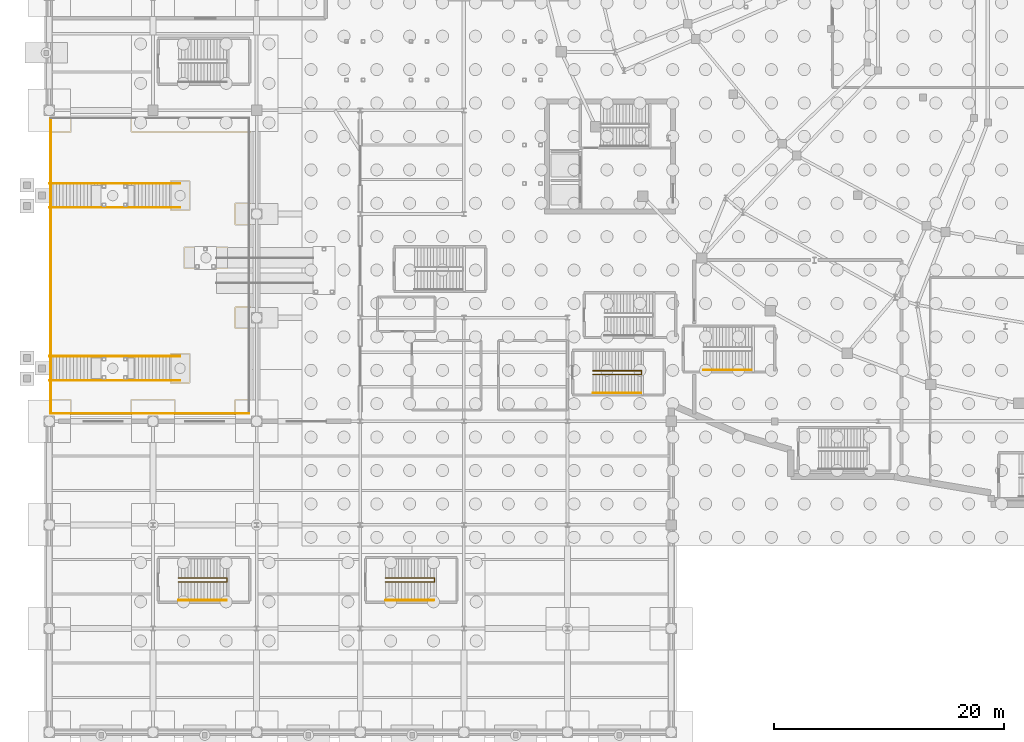
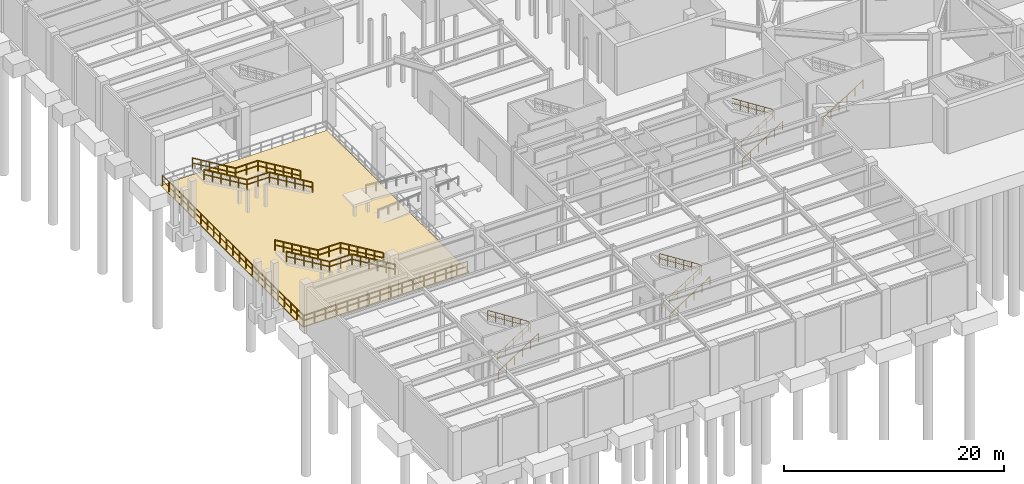
# One storey, part 52 of 56: 13 railings, 1 covering.
"""IFC4 building model written with IfcOpenShell, lengths in metres."""

from ifc_helpers import new_model, si_unit, direction, frame, origin, origin_2d, place, context, subcontext, project, spatial, polyline, circle, outline, extrude, material, layer, layer_set, type_object, element, save


model = new_model("IFC4")

# Units and contexts
model_context = context("Model", 3, precision=1e-05, world=origin(), true_north=direction((0.0, 1.0)))
body_context = subcontext(model_context, "Body", "Model", "MODEL_VIEW")
ifc_project = project(units=[si_unit("LENGTHUNIT", "METRE"), si_unit("AREAUNIT", "SQUARE_METRE"), si_unit("VOLUMEUNIT", "CUBIC_METRE"), si_unit("PLANEANGLEUNIT", "RADIAN"), si_unit("MASSUNIT", "GRAM", prefix="KILO")], contexts=[model_context])

# Site, building, storey
site_placement = place(None, origin())
site = spatial("IfcSite", under=ifc_project, at=site_placement, CompositionType="ELEMENT")
building_placement = place(site_placement, origin())
building = spatial("IfcBuilding", under=site, at=building_placement, Name="Glasvene Arena", CompositionType="ELEMENT")
storey_placement = place(building_placement, frame((0.0, 0.0, -5.39990234375)))
storey = spatial("IfcBuildingStorey", under=building, at=storey_placement, Name="B1", CompositionType="ELEMENT", Elevation=-5.39990234375)

# Covering
ifc_material_1 = material(Name="Irish silver-grey granite paving", Category="masonry")
ifc_layer = layer(ifc_material_1, 0.06005859375)
ifc_layer_set = layer_set([ifc_layer], Name="Irish silver-grey granite paving")
covering_type = type_object("IfcCoveringType", Name="COV-PLAZA-GRAN", PredefinedType="FLOORING", material=ifc_layer_set)
covering_placement = place(storey_placement, frame((8.72509765625, 40.5, -0.10009765625)))
element("IfcCovering", 1, at=covering_placement, inside=storey, type_object=covering_type, Name="Sunken metro forecourt granite paving TR-B1-METRO-01", PredefinedType="FLOORING", context=body_context, shape_type="SweptSolid", body=[
    extrude(outline(polyline([(-8.72509765625, 12.949951171875), (8.724853515625, 12.949951171875), (8.724853515625, -12.949951171875), (-8.72509765625, -12.949951171875), (-8.72509765625, 12.949951171875)])), origin(), (0.0, 0.0, 1.0), 0.10009765625),
])

# Railings
ifc_material_2 = material(Name="Brushed stainless steel", Category="steel")
railing_type_1 = type_object("IfcRailingType", Name="RL-GUARD-1100", PredefinedType="GUARDRAIL", material=ifc_material_2)
railing_1_placement = place(storey_placement, frame((47.199951171875, 31.06005859375, 0.0)))
element("IfcRailing", 2, at=railing_1_placement, inside=storey, type_object=railing_type_1, Name="Stair inner well continuous guardrail ST-16-B1", PredefinedType="GUARDRAIL", context=body_context, shape_type="SweptSolid", body=[
    extrude(circle(Radius=0.02392578125, at=origin_2d()), frame((0.0, 0.0, 1.076171875), z_axis=(0.843501457581, 0.0, 0.537126885437), x_axis=(0.0, 1.0, 0.0)), (0.0, 0.0, 1.0), 5.026611328125),
    extrude(circle(Radius=0.01611328125, at=origin_2d()), frame((0.0, 0.0, 0.550048828125), z_axis=(0.843501457581, 0.0, 0.537126885437), x_axis=(0.0, 1.0, 0.0)), (0.0, 0.0, 1.0), 5.026611328125),
    extrude(circle(Radius=0.02392578125, at=origin_2d()), frame((4.239990234375, 0.0, 3.77587890625), z_axis=(0.0, 1.0, 0.0), x_axis=(-1.0, 0.0, 0.0)), (0.0, 0.0, 1.0), 0.329833984375),
    extrude(circle(Radius=0.01611328125, at=origin_2d()), frame((4.239990234375, 0.0, 3.25), z_axis=(0.0, 1.0, 0.0), x_axis=(-1.0, 0.0, 0.0)), (0.0, 0.0, 1.0), 0.329833984375),
    extrude(circle(Radius=0.02392578125, at=origin_2d()), frame((4.239990234375, 0.329833984375, 3.77587890625), z_axis=(-0.843501457581, 0.0, 0.537126885437), x_axis=(0.0, -1.0, 0.0)), (0.0, 0.0, 1.0), 5.026611328125),
    extrude(circle(Radius=0.01611328125, at=origin_2d()), frame((4.239990234375, 0.329833984375, 3.25), z_axis=(-0.843501457581, 0.0, 0.537126885437), x_axis=(0.0, -1.0, 0.0)), (0.0, 0.0, 1.0), 5.026611328125),
    extrude(circle(Radius=0.02099609375, at=origin_2d()), origin(), (0.0, 0.0, 1.0), 1.052001953125),
    extrude(circle(Radius=0.02099609375, at=origin_2d()), frame((0.847900390625, 0.0, 0.5400390625)), (0.0, 0.0, 1.0), 1.052001953125),
    extrude(circle(Radius=0.02099609375, at=origin_2d()), frame((1.696044921875, 0.0, 1.080078125)), (0.0, 0.0, 1.0), 1.052001953125),
    extrude(circle(Radius=0.02099609375, at=origin_2d()), frame((2.5439453125, 0.0, 1.619873046875)), (0.0, 0.0, 1.0), 1.052001953125),
    extrude(circle(Radius=0.02099609375, at=origin_2d()), frame((3.39208984375, 0.0, 2.159912109375)), (0.0, 0.0, 1.0), 1.052001953125),
    extrude(circle(Radius=0.02099609375, at=origin_2d()), frame((4.239990234375, 0.0, 2.699951171875)), (0.0, 0.0, 1.0), 1.052001953125),
    extrude(circle(Radius=0.02099609375, at=origin_2d()), frame((4.239990234375, 0.329833984375, 2.699951171875)), (0.0, 0.0, 1.0), 1.052001953125),
    extrude(circle(Radius=0.02099609375, at=origin_2d()), frame((3.39208984375, 0.329833984375, 3.239990234375)), (0.0, 0.0, 1.0), 1.052001953125),
    extrude(circle(Radius=0.02099609375, at=origin_2d()), frame((2.5439453125, 0.329833984375, 3.780029296875)), (0.0, 0.0, 1.0), 1.052001953125),
    extrude(circle(Radius=0.02099609375, at=origin_2d()), frame((1.696044921875, 0.329833984375, 4.31982421875)), (0.0, 0.0, 1.0), 1.052001953125),
    extrude(circle(Radius=0.02099609375, at=origin_2d()), frame((0.847900390625, 0.329833984375, 4.85986328125)), (0.0, 0.0, 1.0), 1.052001953125),
    extrude(circle(Radius=0.02099609375, at=origin_2d()), frame((0.0, 0.329833984375, 5.39990234375)), (0.0, 0.0, 1.0), 1.052001953125),
])
railing_2_placement = place(storey_placement, frame((11.199951171875, 13.06005859375, 0.0)))
element("IfcRailing", 3, at=railing_2_placement, inside=storey, type_object=railing_type_1, Name="Stair inner well continuous guardrail ST-B02-B1", PredefinedType="GUARDRAIL", context=body_context, shape_type="SweptSolid", body=[
    extrude(circle(Radius=0.02392578125, at=origin_2d()), frame((0.0, 0.0, 1.076171875), z_axis=(0.843501457581, 0.0, 0.537126885437), x_axis=(0.0, 1.0, 0.0)), (0.0, 0.0, 1.0), 5.026611328125),
    extrude(circle(Radius=0.01611328125, at=origin_2d()), frame((0.0, 0.0, 0.550048828125), z_axis=(0.843501457581, 0.0, 0.537126885437), x_axis=(0.0, 1.0, 0.0)), (0.0, 0.0, 1.0), 5.026611328125),
    extrude(circle(Radius=0.02392578125, at=origin_2d()), frame((4.239990234375, 0.0, 3.77587890625), z_axis=(0.0, 1.0, 0.0), x_axis=(-1.0, 0.0, 0.0)), (0.0, 0.0, 1.0), 0.329833984375),
    extrude(circle(Radius=0.01611328125, at=origin_2d()), frame((4.239990234375, 0.0, 3.25), z_axis=(0.0, 1.0, 0.0), x_axis=(-1.0, 0.0, 0.0)), (0.0, 0.0, 1.0), 0.329833984375),
    extrude(circle(Radius=0.02392578125, at=origin_2d()), frame((4.239990234375, 0.329833984375, 3.77587890625), z_axis=(-0.843501457581, 0.0, 0.537126885437), x_axis=(0.0, -1.0, 0.0)), (0.0, 0.0, 1.0), 5.026611328125),
    extrude(circle(Radius=0.01611328125, at=origin_2d()), frame((4.239990234375, 0.329833984375, 3.25), z_axis=(-0.843501457581, 0.0, 0.537126885437), x_axis=(0.0, -1.0, 0.0)), (0.0, 0.0, 1.0), 5.026611328125),
    extrude(circle(Radius=0.02099609375, at=origin_2d()), origin(), (0.0, 0.0, 1.0), 1.052001953125),
    extrude(circle(Radius=0.02099609375, at=origin_2d()), frame((0.847900390625, 0.0, 0.5400390625)), (0.0, 0.0, 1.0), 1.052001953125),
    extrude(circle(Radius=0.02099609375, at=origin_2d()), frame((1.696044921875, 0.0, 1.080078125)), (0.0, 0.0, 1.0), 1.052001953125),
    extrude(circle(Radius=0.02099609375, at=origin_2d()), frame((2.5439453125, 0.0, 1.619873046875)), (0.0, 0.0, 1.0), 1.052001953125),
    extrude(circle(Radius=0.02099609375, at=origin_2d()), frame((3.39208984375, 0.0, 2.159912109375)), (0.0, 0.0, 1.0), 1.052001953125),
    extrude(circle(Radius=0.02099609375, at=origin_2d()), frame((4.239990234375, 0.0, 2.699951171875)), (0.0, 0.0, 1.0), 1.052001953125),
    extrude(circle(Radius=0.02099609375, at=origin_2d()), frame((4.239990234375, 0.329833984375, 2.699951171875)), (0.0, 0.0, 1.0), 1.052001953125),
    extrude(circle(Radius=0.02099609375, at=origin_2d()), frame((3.39208984375, 0.329833984375, 3.239990234375)), (0.0, 0.0, 1.0), 1.052001953125),
    extrude(circle(Radius=0.02099609375, at=origin_2d()), frame((2.5439453125, 0.329833984375, 3.780029296875)), (0.0, 0.0, 1.0), 1.052001953125),
    extrude(circle(Radius=0.02099609375, at=origin_2d()), frame((1.696044921875, 0.329833984375, 4.31982421875)), (0.0, 0.0, 1.0), 1.052001953125),
    extrude(circle(Radius=0.02099609375, at=origin_2d()), frame((0.847900390625, 0.329833984375, 4.85986328125)), (0.0, 0.0, 1.0), 1.052001953125),
    extrude(circle(Radius=0.02099609375, at=origin_2d()), frame((0.0, 0.329833984375, 5.39990234375)), (0.0, 0.0, 1.0), 1.052001953125),
])
railing_3_placement = place(storey_placement, frame((29.199951171875, 13.06005859375, 0.0)))
element("IfcRailing", 4, at=railing_3_placement, inside=storey, type_object=railing_type_1, Name="Stair inner well continuous guardrail ST-B03-B1", PredefinedType="GUARDRAIL", context=body_context, shape_type="SweptSolid", body=[
    extrude(circle(Radius=0.02392578125, at=origin_2d()), frame((0.0, 0.0, 1.076171875), z_axis=(0.843501457581, 0.0, 0.537126885437), x_axis=(0.0, 1.0, 0.0)), (0.0, 0.0, 1.0), 5.026611328125),
    extrude(circle(Radius=0.01611328125, at=origin_2d()), frame((0.0, 0.0, 0.550048828125), z_axis=(0.843501457581, 0.0, 0.537126885437), x_axis=(0.0, 1.0, 0.0)), (0.0, 0.0, 1.0), 5.026611328125),
    extrude(circle(Radius=0.02392578125, at=origin_2d()), frame((4.239990234375, 0.0, 3.77587890625), z_axis=(0.0, 1.0, 0.0), x_axis=(-1.0, 0.0, 0.0)), (0.0, 0.0, 1.0), 0.329833984375),
    extrude(circle(Radius=0.01611328125, at=origin_2d()), frame((4.239990234375, 0.0, 3.25), z_axis=(0.0, 1.0, 0.0), x_axis=(-1.0, 0.0, 0.0)), (0.0, 0.0, 1.0), 0.329833984375),
    extrude(circle(Radius=0.02392578125, at=origin_2d()), frame((4.239990234375, 0.329833984375, 3.77587890625), z_axis=(-0.843501457581, 0.0, 0.537126885437), x_axis=(0.0, -1.0, 0.0)), (0.0, 0.0, 1.0), 5.026611328125),
    extrude(circle(Radius=0.01611328125, at=origin_2d()), frame((4.239990234375, 0.329833984375, 3.25), z_axis=(-0.843501457581, 0.0, 0.537126885437), x_axis=(0.0, -1.0, 0.0)), (0.0, 0.0, 1.0), 5.026611328125),
    extrude(circle(Radius=0.02099609375, at=origin_2d()), origin(), (0.0, 0.0, 1.0), 1.052001953125),
    extrude(circle(Radius=0.02099609375, at=origin_2d()), frame((0.847900390625, 0.0, 0.5400390625)), (0.0, 0.0, 1.0), 1.052001953125),
    extrude(circle(Radius=0.02099609375, at=origin_2d()), frame((1.696044921875, 0.0, 1.080078125)), (0.0, 0.0, 1.0), 1.052001953125),
    extrude(circle(Radius=0.02099609375, at=origin_2d()), frame((2.5439453125, 0.0, 1.619873046875)), (0.0, 0.0, 1.0), 1.052001953125),
    extrude(circle(Radius=0.02099609375, at=origin_2d()), frame((3.39208984375, 0.0, 2.159912109375)), (0.0, 0.0, 1.0), 1.052001953125),
    extrude(circle(Radius=0.02099609375, at=origin_2d()), frame((4.239990234375, 0.0, 2.699951171875)), (0.0, 0.0, 1.0), 1.052001953125),
    extrude(circle(Radius=0.02099609375, at=origin_2d()), frame((4.239990234375, 0.329833984375, 2.699951171875)), (0.0, 0.0, 1.0), 1.052001953125),
    extrude(circle(Radius=0.02099609375, at=origin_2d()), frame((3.39208984375, 0.329833984375, 3.239990234375)), (0.0, 0.0, 1.0), 1.052001953125),
    extrude(circle(Radius=0.02099609375, at=origin_2d()), frame((2.5439453125, 0.329833984375, 3.780029296875)), (0.0, 0.0, 1.0), 1.052001953125),
    extrude(circle(Radius=0.02099609375, at=origin_2d()), frame((1.696044921875, 0.329833984375, 4.31982421875)), (0.0, 0.0, 1.0), 1.052001953125),
    extrude(circle(Radius=0.02099609375, at=origin_2d()), frame((0.847900390625, 0.329833984375, 4.85986328125)), (0.0, 0.0, 1.0), 1.052001953125),
    extrude(circle(Radius=0.02099609375, at=origin_2d()), frame((0.0, 0.329833984375, 5.39990234375)), (0.0, 0.0, 1.0), 1.052001953125),
])
ifc_material_3 = material(Name="Warm bronze architectural aluminium", Category="aluminium")
railing_type_2 = type_object("IfcRailingType", Name="RL-GUARD-EXT-1150", PredefinedType="GUARDRAIL", material=ifc_material_3)
railing_4_placement = place(storey_placement, frame((11.35009765625, 30.550048828125, 0.0)))
element("IfcRailing", 5, at=railing_4_placement, inside=storey, type_object=railing_type_2, Name="Metro plaza stair guardrail 1", PredefinedType="GUARDRAIL", context=body_context, shape_type="SweptSolid", body=[
    extrude(circle(Radius=0.02392578125, at=origin_2d()), frame((0.0, 0.0, 1.1259765625), z_axis=(-0.857497030584, 0.0, 0.514488913912), x_axis=(0.0, -1.0, 0.0)), (0.0, 0.0, 1.0), 5.247802734375),
    extrude(circle(Radius=0.01611328125, at=origin_2d()), frame((0.0, 0.0, 0.574951171875), z_axis=(-0.857497030584, 0.0, 0.514488913912), x_axis=(0.0, -1.0, 0.0)), (0.0, 0.0, 1.0), 5.247802734375),
    extrude(circle(Radius=0.02392578125, at=origin_2d()), frame((-4.5, 0.0, 3.82568359375), z_axis=(-1.0, 0.0, 0.0), x_axis=(0.0, -1.0, 0.0)), (0.0, 0.0, 1.0), 2.35009765625),
    extrude(circle(Radius=0.01611328125, at=origin_2d()), frame((-4.5, 0.0, 3.27490234375), z_axis=(-1.0, 0.0, 0.0), x_axis=(0.0, -1.0, 0.0)), (0.0, 0.0, 1.0), 2.35009765625),
    extrude(circle(Radius=0.02392578125, at=origin_2d()), frame((-6.85009765625, 0.0, 3.82568359375), z_axis=(-0.857497030584, 0.0, 0.514488913912), x_axis=(0.0, -1.0, 0.0)), (0.0, 0.0, 1.0), 5.247802734375),
    extrude(circle(Radius=0.01611328125, at=origin_2d()), frame((-6.85009765625, 0.0, 3.27490234375), z_axis=(-0.857497030584, 0.0, 0.514488913912), x_axis=(0.0, -1.0, 0.0)), (0.0, 0.0, 1.0), 5.247802734375),
    extrude(circle(Radius=0.02099609375, at=origin_2d()), origin(), (0.0, 0.0, 1.0), 1.101806640625),
    extrude(circle(Radius=0.02099609375, at=origin_2d()), frame((-0.89990234375, 0.0, 0.5400390625)), (0.0, 0.0, 1.0), 1.101806640625),
    extrude(circle(Radius=0.02099609375, at=origin_2d()), frame((-1.800048828125, 0.0, 1.080078125)), (0.0, 0.0, 1.0), 1.101806640625),
    extrude(circle(Radius=0.02099609375, at=origin_2d()), frame((-2.699951171875, 0.0, 1.619873046875)), (0.0, 0.0, 1.0), 1.101806640625),
    extrude(circle(Radius=0.02099609375, at=origin_2d()), frame((-3.60009765625, 0.0, 2.159912109375)), (0.0, 0.0, 1.0), 1.101806640625),
    extrude(circle(Radius=0.02099609375, at=origin_2d()), frame((-4.5, 0.0, 2.699951171875)), (0.0, 0.0, 1.0), 1.101806640625),
    extrude(circle(Radius=0.02099609375, at=origin_2d()), frame((-5.675048828125, 0.0, 2.699951171875)), (0.0, 0.0, 1.0), 1.101806640625),
    extrude(circle(Radius=0.02099609375, at=origin_2d()), frame((-6.85009765625, 0.0, 2.699951171875)), (0.0, 0.0, 1.0), 1.101806640625),
    extrude(circle(Radius=0.02099609375, at=origin_2d()), frame((-7.75, 0.0, 3.239990234375)), (0.0, 0.0, 1.0), 1.101806640625),
    extrude(circle(Radius=0.02099609375, at=origin_2d()), frame((-8.650146484375, 0.0, 3.780029296875)), (0.0, 0.0, 1.0), 1.101806640625),
    extrude(circle(Radius=0.02099609375, at=origin_2d()), frame((-9.550048828125, 0.0, 4.31982421875)), (0.0, 0.0, 1.0), 1.101806640625),
    extrude(circle(Radius=0.02099609375, at=origin_2d()), frame((-10.4501953125, 0.0, 4.85986328125)), (0.0, 0.0, 1.0), 1.101806640625),
    extrude(circle(Radius=0.02099609375, at=origin_2d()), frame((-11.35009765625, 0.0, 5.39990234375)), (0.0, 0.0, 1.0), 1.101806640625),
])
railing_5_placement = place(storey_placement, frame((11.35009765625, 32.64990234375, 0.0)))
element("IfcRailing", 6, at=railing_5_placement, inside=storey, type_object=railing_type_2, Name="Metro plaza stair guardrail 1", PredefinedType="GUARDRAIL", context=body_context, shape_type="SweptSolid", body=[
    extrude(circle(Radius=0.02392578125, at=origin_2d()), frame((0.0, 0.0, 1.1259765625), z_axis=(-0.857497030584, 0.0, 0.514488913912), x_axis=(0.0, -1.0, 0.0)), (0.0, 0.0, 1.0), 5.247802734375),
    extrude(circle(Radius=0.01611328125, at=origin_2d()), frame((0.0, 0.0, 0.574951171875), z_axis=(-0.857497030584, 0.0, 0.514488913912), x_axis=(0.0, -1.0, 0.0)), (0.0, 0.0, 1.0), 5.247802734375),
    extrude(circle(Radius=0.02392578125, at=origin_2d()), frame((-4.5, 0.0, 3.82568359375), z_axis=(-1.0, 0.0, 0.0), x_axis=(0.0, -1.0, 0.0)), (0.0, 0.0, 1.0), 2.35009765625),
    extrude(circle(Radius=0.01611328125, at=origin_2d()), frame((-4.5, 0.0, 3.27490234375), z_axis=(-1.0, 0.0, 0.0), x_axis=(0.0, -1.0, 0.0)), (0.0, 0.0, 1.0), 2.35009765625),
    extrude(circle(Radius=0.02392578125, at=origin_2d()), frame((-6.85009765625, 0.0, 3.82568359375), z_axis=(-0.857497030584, 0.0, 0.514488913912), x_axis=(0.0, -1.0, 0.0)), (0.0, 0.0, 1.0), 5.247802734375),
    extrude(circle(Radius=0.01611328125, at=origin_2d()), frame((-6.85009765625, 0.0, 3.27490234375), z_axis=(-0.857497030584, 0.0, 0.514488913912), x_axis=(0.0, -1.0, 0.0)), (0.0, 0.0, 1.0), 5.247802734375),
    extrude(circle(Radius=0.02099609375, at=origin_2d()), origin(), (0.0, 0.0, 1.0), 1.101806640625),
    extrude(circle(Radius=0.02099609375, at=origin_2d()), frame((-0.89990234375, 0.0, 0.5400390625)), (0.0, 0.0, 1.0), 1.101806640625),
    extrude(circle(Radius=0.02099609375, at=origin_2d()), frame((-1.800048828125, 0.0, 1.080078125)), (0.0, 0.0, 1.0), 1.101806640625),
    extrude(circle(Radius=0.02099609375, at=origin_2d()), frame((-2.699951171875, 0.0, 1.619873046875)), (0.0, 0.0, 1.0), 1.101806640625),
    extrude(circle(Radius=0.02099609375, at=origin_2d()), frame((-3.60009765625, 0.0, 2.159912109375)), (0.0, 0.0, 1.0), 1.101806640625),
    extrude(circle(Radius=0.02099609375, at=origin_2d()), frame((-4.5, 0.0, 2.699951171875)), (0.0, 0.0, 1.0), 1.101806640625),
    extrude(circle(Radius=0.02099609375, at=origin_2d()), frame((-5.675048828125, 0.0, 2.699951171875)), (0.0, 0.0, 1.0), 1.101806640625),
    extrude(circle(Radius=0.02099609375, at=origin_2d()), frame((-6.85009765625, 0.0, 2.699951171875)), (0.0, 0.0, 1.0), 1.101806640625),
    extrude(circle(Radius=0.02099609375, at=origin_2d()), frame((-7.75, 0.0, 3.239990234375)), (0.0, 0.0, 1.0), 1.101806640625),
    extrude(circle(Radius=0.02099609375, at=origin_2d()), frame((-8.650146484375, 0.0, 3.780029296875)), (0.0, 0.0, 1.0), 1.101806640625),
    extrude(circle(Radius=0.02099609375, at=origin_2d()), frame((-9.550048828125, 0.0, 4.31982421875)), (0.0, 0.0, 1.0), 1.101806640625),
    extrude(circle(Radius=0.02099609375, at=origin_2d()), frame((-10.4501953125, 0.0, 4.85986328125)), (0.0, 0.0, 1.0), 1.101806640625),
    extrude(circle(Radius=0.02099609375, at=origin_2d()), frame((-11.35009765625, 0.0, 5.39990234375)), (0.0, 0.0, 1.0), 1.101806640625),
])
railing_6_placement = place(storey_placement, frame((11.35009765625, 45.550048828125, 0.0)))
element("IfcRailing", 7, at=railing_6_placement, inside=storey, type_object=railing_type_2, Name="Metro plaza stair guardrail 2", PredefinedType="GUARDRAIL", context=body_context, shape_type="SweptSolid", body=[
    extrude(circle(Radius=0.02392578125, at=origin_2d()), frame((0.0, 0.0, 1.1259765625), z_axis=(-0.857497030584, 0.0, 0.514488913912), x_axis=(0.0, -1.0, 0.0)), (0.0, 0.0, 1.0), 5.247802734375),
    extrude(circle(Radius=0.01611328125, at=origin_2d()), frame((0.0, 0.0, 0.574951171875), z_axis=(-0.857497030584, 0.0, 0.514488913912), x_axis=(0.0, -1.0, 0.0)), (0.0, 0.0, 1.0), 5.247802734375),
    extrude(circle(Radius=0.02392578125, at=origin_2d()), frame((-4.5, 0.0, 3.82568359375), z_axis=(-1.0, 0.0, 0.0), x_axis=(0.0, -1.0, 0.0)), (0.0, 0.0, 1.0), 2.35009765625),
    extrude(circle(Radius=0.01611328125, at=origin_2d()), frame((-4.5, 0.0, 3.27490234375), z_axis=(-1.0, 0.0, 0.0), x_axis=(0.0, -1.0, 0.0)), (0.0, 0.0, 1.0), 2.35009765625),
    extrude(circle(Radius=0.02392578125, at=origin_2d()), frame((-6.85009765625, 0.0, 3.82568359375), z_axis=(-0.857497030584, 0.0, 0.514488913912), x_axis=(0.0, -1.0, 0.0)), (0.0, 0.0, 1.0), 5.247802734375),
    extrude(circle(Radius=0.01611328125, at=origin_2d()), frame((-6.85009765625, 0.0, 3.27490234375), z_axis=(-0.857497030584, 0.0, 0.514488913912), x_axis=(0.0, -1.0, 0.0)), (0.0, 0.0, 1.0), 5.247802734375),
    extrude(circle(Radius=0.02099609375, at=origin_2d()), origin(), (0.0, 0.0, 1.0), 1.101806640625),
    extrude(circle(Radius=0.02099609375, at=origin_2d()), frame((-0.89990234375, 0.0, 0.5400390625)), (0.0, 0.0, 1.0), 1.101806640625),
    extrude(circle(Radius=0.02099609375, at=origin_2d()), frame((-1.800048828125, 0.0, 1.080078125)), (0.0, 0.0, 1.0), 1.101806640625),
    extrude(circle(Radius=0.02099609375, at=origin_2d()), frame((-2.699951171875, 0.0, 1.619873046875)), (0.0, 0.0, 1.0), 1.101806640625),
    extrude(circle(Radius=0.02099609375, at=origin_2d()), frame((-3.60009765625, 0.0, 2.159912109375)), (0.0, 0.0, 1.0), 1.101806640625),
    extrude(circle(Radius=0.02099609375, at=origin_2d()), frame((-4.5, 0.0, 2.699951171875)), (0.0, 0.0, 1.0), 1.101806640625),
    extrude(circle(Radius=0.02099609375, at=origin_2d()), frame((-5.675048828125, 0.0, 2.699951171875)), (0.0, 0.0, 1.0), 1.101806640625),
    extrude(circle(Radius=0.02099609375, at=origin_2d()), frame((-6.85009765625, 0.0, 2.699951171875)), (0.0, 0.0, 1.0), 1.101806640625),
    extrude(circle(Radius=0.02099609375, at=origin_2d()), frame((-7.75, 0.0, 3.239990234375)), (0.0, 0.0, 1.0), 1.101806640625),
    extrude(circle(Radius=0.02099609375, at=origin_2d()), frame((-8.650146484375, 0.0, 3.780029296875)), (0.0, 0.0, 1.0), 1.101806640625),
    extrude(circle(Radius=0.02099609375, at=origin_2d()), frame((-9.550048828125, 0.0, 4.31982421875)), (0.0, 0.0, 1.0), 1.101806640625),
    extrude(circle(Radius=0.02099609375, at=origin_2d()), frame((-10.4501953125, 0.0, 4.85986328125)), (0.0, 0.0, 1.0), 1.101806640625),
    extrude(circle(Radius=0.02099609375, at=origin_2d()), frame((-11.35009765625, 0.0, 5.39990234375)), (0.0, 0.0, 1.0), 1.101806640625),
])
railing_7_placement = place(storey_placement, frame((11.35009765625, 47.64990234375, 0.0)))
element("IfcRailing", 8, at=railing_7_placement, inside=storey, type_object=railing_type_2, Name="Metro plaza stair guardrail 2", PredefinedType="GUARDRAIL", context=body_context, shape_type="SweptSolid", body=[
    extrude(circle(Radius=0.02392578125, at=origin_2d()), frame((0.0, 0.0, 1.1259765625), z_axis=(-0.857497030584, 0.0, 0.514488913912), x_axis=(0.0, -1.0, 0.0)), (0.0, 0.0, 1.0), 5.247802734375),
    extrude(circle(Radius=0.01611328125, at=origin_2d()), frame((0.0, 0.0, 0.574951171875), z_axis=(-0.857497030584, 0.0, 0.514488913912), x_axis=(0.0, -1.0, 0.0)), (0.0, 0.0, 1.0), 5.247802734375),
    extrude(circle(Radius=0.02392578125, at=origin_2d()), frame((-4.5, 0.0, 3.82568359375), z_axis=(-1.0, 0.0, 0.0), x_axis=(0.0, -1.0, 0.0)), (0.0, 0.0, 1.0), 2.35009765625),
    extrude(circle(Radius=0.01611328125, at=origin_2d()), frame((-4.5, 0.0, 3.27490234375), z_axis=(-1.0, 0.0, 0.0), x_axis=(0.0, -1.0, 0.0)), (0.0, 0.0, 1.0), 2.35009765625),
    extrude(circle(Radius=0.02392578125, at=origin_2d()), frame((-6.85009765625, 0.0, 3.82568359375), z_axis=(-0.857497030584, 0.0, 0.514488913912), x_axis=(0.0, -1.0, 0.0)), (0.0, 0.0, 1.0), 5.247802734375),
    extrude(circle(Radius=0.01611328125, at=origin_2d()), frame((-6.85009765625, 0.0, 3.27490234375), z_axis=(-0.857497030584, 0.0, 0.514488913912), x_axis=(0.0, -1.0, 0.0)), (0.0, 0.0, 1.0), 5.247802734375),
    extrude(circle(Radius=0.02099609375, at=origin_2d()), origin(), (0.0, 0.0, 1.0), 1.101806640625),
    extrude(circle(Radius=0.02099609375, at=origin_2d()), frame((-0.89990234375, 0.0, 0.5400390625)), (0.0, 0.0, 1.0), 1.101806640625),
    extrude(circle(Radius=0.02099609375, at=origin_2d()), frame((-1.800048828125, 0.0, 1.080078125)), (0.0, 0.0, 1.0), 1.101806640625),
    extrude(circle(Radius=0.02099609375, at=origin_2d()), frame((-2.699951171875, 0.0, 1.619873046875)), (0.0, 0.0, 1.0), 1.101806640625),
    extrude(circle(Radius=0.02099609375, at=origin_2d()), frame((-3.60009765625, 0.0, 2.159912109375)), (0.0, 0.0, 1.0), 1.101806640625),
    extrude(circle(Radius=0.02099609375, at=origin_2d()), frame((-4.5, 0.0, 2.699951171875)), (0.0, 0.0, 1.0), 1.101806640625),
    extrude(circle(Radius=0.02099609375, at=origin_2d()), frame((-5.675048828125, 0.0, 2.699951171875)), (0.0, 0.0, 1.0), 1.101806640625),
    extrude(circle(Radius=0.02099609375, at=origin_2d()), frame((-6.85009765625, 0.0, 2.699951171875)), (0.0, 0.0, 1.0), 1.101806640625),
    extrude(circle(Radius=0.02099609375, at=origin_2d()), frame((-7.75, 0.0, 3.239990234375)), (0.0, 0.0, 1.0), 1.101806640625),
    extrude(circle(Radius=0.02099609375, at=origin_2d()), frame((-8.650146484375, 0.0, 3.780029296875)), (0.0, 0.0, 1.0), 1.101806640625),
    extrude(circle(Radius=0.02099609375, at=origin_2d()), frame((-9.550048828125, 0.0, 4.31982421875)), (0.0, 0.0, 1.0), 1.101806640625),
    extrude(circle(Radius=0.02099609375, at=origin_2d()), frame((-10.4501953125, 0.0, 4.85986328125)), (0.0, 0.0, 1.0), 1.101806640625),
    extrude(circle(Radius=0.02099609375, at=origin_2d()), frame((-11.35009765625, 0.0, 5.39990234375)), (0.0, 0.0, 1.0), 1.101806640625),
])
railing_8_placement = place(storey_placement, frame((17.330078125, 27.669921875, 0.0)))
element("IfcRailing", 9, at=railing_8_placement, inside=storey, type_object=railing_type_2, Name="Safety guardrail GD-TER-B1-TR-B1-METRO-01-003", PredefinedType="GUARDRAIL", context=body_context, shape_type="SweptSolid", body=[
    extrude(circle(Radius=0.02392578125, at=origin_2d()), frame((0.0, 0.0, 1.1259765625), z_axis=(-1.0, 0.0, 0.0), x_axis=(0.0, -1.0, 0.0)), (0.0, 0.0, 1.0), 17.2099609375),
    extrude(circle(Radius=0.01611328125, at=origin_2d()), frame((0.0, 0.0, 0.574951171875), z_axis=(-1.0, 0.0, 0.0), x_axis=(0.0, -1.0, 0.0)), (0.0, 0.0, 1.0), 17.2099609375),
    extrude(circle(Radius=0.02099609375, at=origin_2d()), origin(), (0.0, 0.0, 1.0), 1.101806640625),
    extrude(circle(Radius=0.02099609375, at=origin_2d()), frame((-1.147216796875, 0.0, 0.0)), (0.0, 0.0, 1.0), 1.101806640625),
    extrude(circle(Radius=0.02099609375, at=origin_2d()), frame((-2.294677734375, 0.0, 0.0)), (0.0, 0.0, 1.0), 1.101806640625),
    extrude(circle(Radius=0.02099609375, at=origin_2d()), frame((-3.44189453125, 0.0, 0.0)), (0.0, 0.0, 1.0), 1.101806640625),
    extrude(circle(Radius=0.02099609375, at=origin_2d()), frame((-4.58935546875, 0.0, 0.0)), (0.0, 0.0, 1.0), 1.101806640625),
    extrude(circle(Radius=0.02099609375, at=origin_2d()), frame((-5.736572265625, 0.0, 0.0)), (0.0, 0.0, 1.0), 1.101806640625),
    extrude(circle(Radius=0.02099609375, at=origin_2d()), frame((-6.884033203125, 0.0, 0.0)), (0.0, 0.0, 1.0), 1.101806640625),
    extrude(circle(Radius=0.02099609375, at=origin_2d()), frame((-8.03125, 0.0, 0.0)), (0.0, 0.0, 1.0), 1.101806640625),
    extrude(circle(Radius=0.02099609375, at=origin_2d()), frame((-9.1787109375, 0.0, 0.0)), (0.0, 0.0, 1.0), 1.101806640625),
    extrude(circle(Radius=0.02099609375, at=origin_2d()), frame((-10.325927734375, 0.0, 0.0)), (0.0, 0.0, 1.0), 1.101806640625),
    extrude(circle(Radius=0.02099609375, at=origin_2d()), frame((-11.473388671875, 0.0, 0.0)), (0.0, 0.0, 1.0), 1.101806640625),
    extrude(circle(Radius=0.02099609375, at=origin_2d()), frame((-12.62060546875, 0.0, 0.0)), (0.0, 0.0, 1.0), 1.101806640625),
    extrude(circle(Radius=0.02099609375, at=origin_2d()), frame((-13.76806640625, 0.0, 0.0)), (0.0, 0.0, 1.0), 1.101806640625),
    extrude(circle(Radius=0.02099609375, at=origin_2d()), frame((-14.915283203125, 0.0, 0.0)), (0.0, 0.0, 1.0), 1.101806640625),
    extrude(circle(Radius=0.02099609375, at=origin_2d()), frame((-16.062744140625, 0.0, 0.0)), (0.0, 0.0, 1.0), 1.101806640625),
    extrude(circle(Radius=0.02099609375, at=origin_2d()), frame((-17.2099609375, 0.0, 0.0)), (0.0, 0.0, 1.0), 1.101806640625),
])
railing_9_placement = place(storey_placement, frame((0.1201171875, 27.669921875, 0.0)))
element("IfcRailing", 10, at=railing_9_placement, inside=storey, type_object=railing_type_2, Name="Safety guardrail GD-TER-B1-TR-B1-METRO-01-004", PredefinedType="GUARDRAIL", context=body_context, shape_type="SweptSolid", body=[
    extrude(circle(Radius=0.02392578125, at=origin_2d()), frame((0.0, 0.0, 1.1259765625), z_axis=(0.0, 1.0, 0.0), x_axis=(-1.0, 0.0, 0.0)), (0.0, 0.0, 1.0), 25.66015625),
    extrude(circle(Radius=0.01611328125, at=origin_2d()), frame((0.0, 0.0, 0.574951171875), z_axis=(0.0, 1.0, 0.0), x_axis=(-1.0, 0.0, 0.0)), (0.0, 0.0, 1.0), 25.66015625),
    extrude(circle(Radius=0.02099609375, at=origin_2d()), origin(), (0.0, 0.0, 1.0), 1.101806640625),
    extrude(circle(Radius=0.02099609375, at=origin_2d()), frame((0.0, 1.166259765625, 0.0)), (0.0, 0.0, 1.0), 1.101806640625),
    extrude(circle(Radius=0.02099609375, at=origin_2d()), frame((0.0, 2.332763671875, 0.0)), (0.0, 0.0, 1.0), 1.101806640625),
    extrude(circle(Radius=0.02099609375, at=origin_2d()), frame((0.0, 3.4990234375, 0.0)), (0.0, 0.0, 1.0), 1.101806640625),
    extrude(circle(Radius=0.02099609375, at=origin_2d()), frame((0.0, 4.66552734375, 0.0)), (0.0, 0.0, 1.0), 1.101806640625),
    extrude(circle(Radius=0.02099609375, at=origin_2d()), frame((0.0, 5.831787109375, 0.0)), (0.0, 0.0, 1.0), 1.101806640625),
    extrude(circle(Radius=0.02099609375, at=origin_2d()), frame((0.0, 6.998291015625, 0.0)), (0.0, 0.0, 1.0), 1.101806640625),
    extrude(circle(Radius=0.02099609375, at=origin_2d()), frame((0.0, 8.16455078125, 0.0)), (0.0, 0.0, 1.0), 1.101806640625),
    extrude(circle(Radius=0.02099609375, at=origin_2d()), frame((0.0, 9.3310546875, 0.0)), (0.0, 0.0, 1.0), 1.101806640625),
    extrude(circle(Radius=0.02099609375, at=origin_2d()), frame((0.0, 10.497314453125, 0.0)), (0.0, 0.0, 1.0), 1.101806640625),
    extrude(circle(Radius=0.02099609375, at=origin_2d()), frame((0.0, 11.663818359375, 0.0)), (0.0, 0.0, 1.0), 1.101806640625),
    extrude(circle(Radius=0.02099609375, at=origin_2d()), frame((0.0, 12.830078125, 0.0)), (0.0, 0.0, 1.0), 1.101806640625),
    extrude(circle(Radius=0.02099609375, at=origin_2d()), frame((0.0, 13.996337890625, 0.0)), (0.0, 0.0, 1.0), 1.101806640625),
    extrude(circle(Radius=0.02099609375, at=origin_2d()), frame((0.0, 15.162841796875, 0.0)), (0.0, 0.0, 1.0), 1.101806640625),
    extrude(circle(Radius=0.02099609375, at=origin_2d()), frame((0.0, 16.3291015625, 0.0)), (0.0, 0.0, 1.0), 1.101806640625),
    extrude(circle(Radius=0.02099609375, at=origin_2d()), frame((0.0, 17.49560546875, 0.0)), (0.0, 0.0, 1.0), 1.101806640625),
    extrude(circle(Radius=0.02099609375, at=origin_2d()), frame((0.0, 18.661865234375, 0.0)), (0.0, 0.0, 1.0), 1.101806640625),
    extrude(circle(Radius=0.02099609375, at=origin_2d()), frame((0.0, 19.828369140625, 0.0)), (0.0, 0.0, 1.0), 1.101806640625),
    extrude(circle(Radius=0.02099609375, at=origin_2d()), frame((0.0, 20.99462890625, 0.0)), (0.0, 0.0, 1.0), 1.101806640625),
    extrude(circle(Radius=0.02099609375, at=origin_2d()), frame((0.0, 22.1611328125, 0.0)), (0.0, 0.0, 1.0), 1.101806640625),
    extrude(circle(Radius=0.02099609375, at=origin_2d()), frame((0.0, 23.327392578125, 0.0)), (0.0, 0.0, 1.0), 1.101806640625),
    extrude(circle(Radius=0.02099609375, at=origin_2d()), frame((0.0, 24.493896484375, 0.0)), (0.0, 0.0, 1.0), 1.101806640625),
    extrude(circle(Radius=0.02099609375, at=origin_2d()), frame((0.0, 25.66015625, 0.0)), (0.0, 0.0, 1.0), 1.101806640625),
])
railing_type_3 = type_object("IfcRailingType", Name="RL-HAND-950", PredefinedType="HANDRAIL", material=ifc_material_2)
for number, where, name in (
    (11, (47.199951171875, 29.4599609375, 0.0), "Stair wall handrail ST-16-B1"),
    (12, (11.199951171875, 11.4599609375, 0.0), "Stair wall handrail ST-B02-B1"),
    (13, (29.199951171875, 11.4599609375, 0.0), "Stair wall handrail ST-B03-B1"),
    (14, (56.800048828125, 31.4599609375, 0.0), "Stair wall handrail ST-B06-B1"),
):
    element("IfcRailing", number, at=place(storey_placement, frame(where)), inside=storey, type_object=railing_type_3, Name=name, PredefinedType="HANDRAIL", context=body_context, shape_type="SweptSolid", body=[
        extrude(circle(Radius=0.02392578125, at=origin_2d()), frame((0.0, 0.0, 0.92578125), z_axis=(0.841180064094, 0.0, 0.540755119968), x_axis=(0.0, 1.0, 0.0)), (0.0, 0.0, 1.0), 4.992919921875),
        extrude(circle(Radius=0.02099609375, at=origin_2d()), origin(), (0.0, 0.0, 1.0), 0.90185546875),
        extrude(circle(Radius=0.02099609375, at=origin_2d()), frame((0.840087890625, 0.0, 0.5400390625)), (0.0, 0.0, 1.0), 0.90185546875),
        extrude(circle(Radius=0.02099609375, at=origin_2d()), frame((1.679931640625, 0.0, 1.080078125)), (0.0, 0.0, 1.0), 0.90185546875),
        extrude(circle(Radius=0.02099609375, at=origin_2d()), frame((2.52001953125, 0.0, 1.619873046875)), (0.0, 0.0, 1.0), 0.90185546875),
        extrude(circle(Radius=0.02099609375, at=origin_2d()), frame((3.35986328125, 0.0, 2.159912109375)), (0.0, 0.0, 1.0), 0.90185546875),
        extrude(circle(Radius=0.02099609375, at=origin_2d()), frame((4.199951171875, 0.0, 2.699951171875)), (0.0, 0.0, 1.0), 0.90185546875),
    ])

save(model, "model.ifc")
